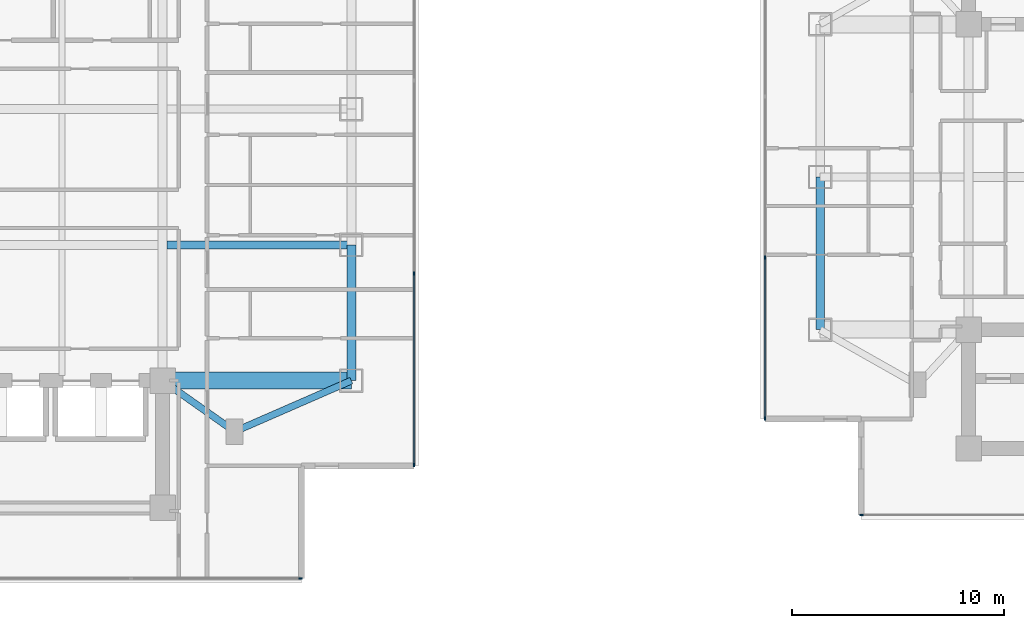
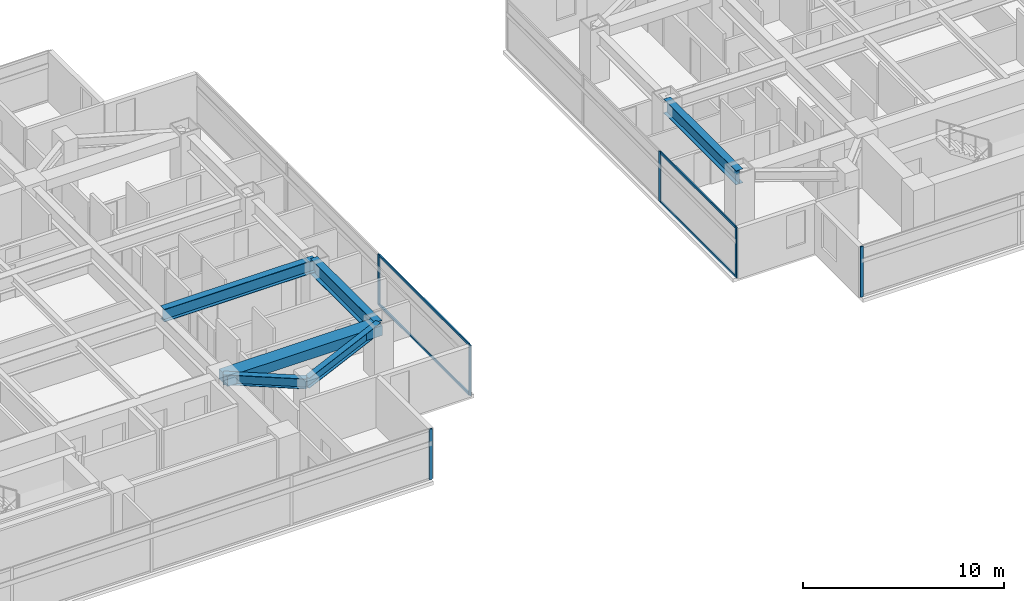
# One storey, part 4 of 24: 10 members, 6 beams, 4 elements without a shape of their own.
"""IFC4 building model written with IfcOpenShell, lengths in metres."""

from ifc_helpers import new_model, si_unit, direction, frame, origin, origin_2d, place, context, subcontext, project, spatial, rectangle, i_section, extrude, material, material_profile, profile_set, type_object, element, aggregate, save


model = new_model("IFC4")

# Units and contexts
model_context = context("Model", 3, precision=1e-05, world=origin(), true_north=direction((0.0, 1.0)))
body_context = subcontext(model_context, "Body", "Model", "MODEL_VIEW")
ifc_project = project(units=[si_unit("LENGTHUNIT", "METRE"), si_unit("AREAUNIT", "SQUARE_METRE"), si_unit("VOLUMEUNIT", "CUBIC_METRE"), si_unit("PLANEANGLEUNIT", "RADIAN"), si_unit("MASSUNIT", "GRAM", prefix="KILO")], contexts=[model_context])

# Site, building, storey
site_placement = place(None, origin())
site = spatial("IfcSite", under=ifc_project, at=site_placement, CompositionType="ELEMENT")
building_placement = place(site_placement, origin())
building = spatial("IfcBuilding", under=site, at=building_placement, Name="Mirazonda Arch Towers", CompositionType="ELEMENT")
storey_placement = place(building_placement, frame((0.0, 0.0, 101.60009765625)))
storey = spatial("IfcBuildingStorey", under=building, at=storey_placement, Name="L28", CompositionType="ELEMENT", Elevation=101.60009765625)

# Beams
ifc_material_1 = material(Name="Steel ASTM A992 Grade 50", Category="steel")
ifc_material_profile_1 = material_profile(ifc_material_1, i_section(OverallWidth=0.39990234375, OverallDepth=0.85595703125, WebThickness=0.018310546875, FlangeThickness=0.029296875, at=origin_2d()), Name="W33X201")
ifc_profile_set_1 = profile_set([ifc_material_profile_1], Name="Steel ASTM A992 Grade 50")
beam_type_1 = type_object("IfcBeamType", Name="BM-EXT-W33X201", PredefinedType="USERDEFINED", material=ifc_profile_set_1)
beam_1_placement = place(storey_placement, frame((61.0, 20.800048828125, 2.65185546875), z_axis=(0.0, 1.0, 0.0), x_axis=(-1.0, 0.0, 0.0)))
element("IfcBeam", 1, at=beam_1_placement, inside=storey, type_object=beam_type_1, Name="L28 Floor Beam BM-T2-L28-NS-W-20", ObjectType="GIRDER", PredefinedType="USERDEFINED", context=body_context, shape_type="SweptSolid", body=[
    extrude(i_section(OverallWidth=0.39990234375, OverallDepth=0.85595703125, WebThickness=0.018310546875, FlangeThickness=0.029296875, at=origin_2d()), origin(), (0.0, 0.0, 1.0), 7.199951171875),
])
ifc_material_profile_2 = material_profile(ifc_material_1, i_section(OverallWidth=0.41796875, OverallDepth=0.927001953125, WebThickness=0.019287109375, FlangeThickness=0.031982421875, at=origin_2d()), Name="W36X231")
ifc_profile_set_2 = profile_set([ifc_material_profile_2], Name="Steel ASTM A992 Grade 50")
beam_type_2 = type_object("IfcBeamType", Name="BM-EXT-W36X231", PredefinedType="USERDEFINED", material=ifc_profile_set_2)
beam_2_placement = place(storey_placement, frame((38.89990234375, 18.39990234375, 2.616455078125), z_axis=(0.0, 1.0, 0.0), x_axis=(-1.0, 0.0, 0.0)))
element("IfcBeam", 2, at=beam_2_placement, inside=storey, type_object=beam_type_2, Name="L28 Floor Beam BM-T1-L28-NS-E-18", ObjectType="GIRDER", PredefinedType="USERDEFINED", context=body_context, shape_type="SweptSolid", body=[
    extrude(i_section(OverallWidth=0.41796875, OverallDepth=0.927001953125, WebThickness=0.019287109375, FlangeThickness=0.031982421875, at=origin_2d()), origin(), (0.0, 0.0, 1.0), 6.400146484375),
])
ifc_material_profile_3 = material_profile(ifc_material_1, i_section(OverallWidth=0.324951171875, OverallDepth=0.615966796875, WebThickness=0.013916015625, FlangeThickness=0.021484375, at=origin_2d()), Name="W24X117")
ifc_profile_set_3 = profile_set([ifc_material_profile_3], Name="Steel ASTM A992 Grade 50")
beam_type_3 = type_object("IfcBeamType", Name="BM-INT-W24X117", PredefinedType="BEAM", material=ifc_profile_set_3)
beam_3_placement = place(storey_placement, frame((33.39990234375, 16.0, 2.77197265625), z_axis=(-0.816971114901, 0.576678591087, 0.0), x_axis=(-0.576678591087, -0.816971114901, 0.0)))
element("IfcBeam", 3, at=beam_3_placement, inside=storey, type_object=beam_type_3, Name="L28 Floor Beam BM-T1-L28-PL-SE1", PredefinedType="BEAM", context=body_context, shape_type="SweptSolid", body=[
    extrude(i_section(OverallWidth=0.324951171875, OverallDepth=0.615966796875, WebThickness=0.013916015625, FlangeThickness=0.021484375, at=origin_2d()), origin(), (0.0, 0.0, 1.0), 4.16162109375),
])
beam_4_placement = place(storey_placement, frame((33.39990234375, 16.0, 2.77197265625), z_axis=(0.916545343703, 0.399930785183, 0.0), x_axis=(-0.399930785183, 0.916545343703, 0.0)))
element("IfcBeam", 4, at=beam_4_placement, inside=storey, type_object=beam_type_3, Name="L28 Floor Beam BM-T1-L28-PL-SE2", PredefinedType="BEAM", context=body_context, shape_type="SweptSolid", body=[
    extrude(i_section(OverallWidth=0.324951171875, OverallDepth=0.615966796875, WebThickness=0.013916015625, FlangeThickness=0.021484375, at=origin_2d()), origin(), (0.0, 0.0, 1.0), 6.000732421875),
])
ifc_material_profile_4 = material_profile(ifc_material_1, i_section(OverallWidth=0.381103515625, OverallDepth=0.77294921875, WebThickness=0.0166015625, FlangeThickness=0.027099609375, at=origin_2d()), Name="W30X173")
ifc_profile_set_4 = profile_set([ifc_material_profile_4], Name="Steel ASTM A992 Grade 50")
beam_type_4 = type_object("IfcBeamType", Name="BM-INT-W30X173", PredefinedType="USERDEFINED", material=ifc_profile_set_4)
beam_5_placement = place(storey_placement, frame((30.21142578125, 24.800048828125, 2.693359375), z_axis=(1.0, 0.0, 0.0), x_axis=(0.0, 1.0, 0.0)))
element("IfcBeam", 5, at=beam_5_placement, inside=storey, type_object=beam_type_4, Name="L28 Floor Beam BM-T1-L28-GE2", ObjectType="GIRDER", PredefinedType="USERDEFINED", context=body_context, shape_type="SweptSolid", body=[
    extrude(i_section(OverallWidth=0.381103515625, OverallDepth=0.77294921875, WebThickness=0.0166015625, FlangeThickness=0.027099609375, at=origin_2d()), origin(), (0.0, 0.0, 1.0), 8.6884765625),
])
ifc_material_2 = material(Name="Concrete C60/75", Category="concrete")
ifc_material_profile_5 = material_profile(ifc_material_2, rectangle(XDim=0.800048828125, YDim=0.60009765625, at=origin_2d()), Name="RCCB800x600")
ifc_profile_set_5 = profile_set([ifc_material_profile_5], Name="Concrete C60/75")
beam_type_5 = type_object("IfcBeamType", Name="CB-INT-RCCB800x600", PredefinedType="SPANDREL", material=ifc_profile_set_5)
beam_6_placement = place(storey_placement, frame((30.0, 18.39990234375, 2.77978515625), z_axis=(1.0, 0.0, 0.0), x_axis=(0.0, 1.0, 0.0)))
element("IfcBeam", 6, at=beam_6_placement, inside=storey, type_object=beam_type_5, Name="L28 Floor Beam CBC-T1-L28-SE", PredefinedType="SPANDREL", context=body_context, shape_type="SweptSolid", body=[
    extrude(rectangle(XDim=0.800048828125, YDim=0.60009765625, at=origin_2d()), origin(), (0.0, 0.0, 1.0), 8.89990234375),
])

# Curtain wall, member
ifc_material_3 = material(Name="Anodised Aluminium and Low-E Glass", Category="aluminium")
curtain_wall_type = type_object("IfcCurtainWallType", Name="CW-HTL-UNIT", PredefinedType="NOTDEFINED", material=ifc_material_3)
curtain_wall_1_placement = place(storey_placement, origin())
curtain_wall_1 = element("IfcCurtainWall", 7, at=curtain_wall_1_placement, inside=storey, type_object=curtain_wall_type, Name="L28 T1 S Facade CW-L28-T1-S", PredefinedType="NOTDEFINED")
ifc_material_4 = material(Name="Anodised Aluminium Alloy", Category="aluminium")
ifc_material_profile_6 = material_profile(ifc_material_4, rectangle(XDim=0.074951171875, YDim=0.1650390625, at=origin_2d()), Name="ALU-MULL-75x165")
ifc_profile_set_6 = profile_set([ifc_material_profile_6], Name="Anodised Aluminium Alloy")
member_type_1 = type_object("IfcMemberType", Name="MULL-CW-HTL-UNIT", PredefinedType="MULLION", material=ifc_profile_set_6)
member_1_placement = place(storey_placement, frame((36.507568359375, 9.077880859375, 0.0), z_axis=(0.0, 0.0, 1.0), x_axis=(0.0, -1.0, 0.0)))
member_1 = element("IfcMember", 8, at=member_1_placement, type_object=member_type_1, Name="CW-112 mullion 1", PredefinedType="MULLION", context=body_context, shape_type="SweptSolid", body=[
    extrude(rectangle(XDim=0.074951171875, YDim=0.1650390625, at=origin_2d()), origin(), (0.0, 0.0, 1.0), 3.059814453125),
])
aggregate(curtain_wall_1, [member_1])

# Curtain wall, members
curtain_wall_2_placement = place(storey_placement, origin())
curtain_wall_2 = element("IfcCurtainWall", 9, at=curtain_wall_2_placement, inside=storey, type_object=curtain_wall_type, Name="L28 T1 E Facade CW-L28-T1-E", PredefinedType="NOTDEFINED")
member_2_placement = place(storey_placement, frame((41.85009765625, 14.42041015625, 0.0), z_axis=(0.0, 0.0, 1.0), x_axis=(-1.0, 0.0, 0.0)))
member_2 = element("IfcMember", 10, at=member_2_placement, type_object=member_type_1, Name="CW-112 mullion 1", PredefinedType="MULLION", context=body_context, shape_type="SweptSolid", body=[
    extrude(rectangle(XDim=0.074951171875, YDim=0.1650390625, at=origin_2d()), origin(), (0.0, 0.0, 1.0), 3.059814453125),
])
member_3_placement = place(storey_placement, frame((41.85009765625, 23.4609375, 0.0), z_axis=(0.0, 0.0, 1.0), x_axis=(-1.0, 0.0, 0.0)))
member_3 = element("IfcMember", 11, at=member_3_placement, type_object=member_type_1, Name="CW-112 mullion 2", PredefinedType="MULLION", context=body_context, shape_type="SweptSolid", body=[
    extrude(rectangle(XDim=0.074951171875, YDim=0.1650390625, at=origin_2d()), origin(), (0.0, 0.0, 1.0), 3.059814453125),
])

# Curtain wall, member
curtain_wall_3_placement = place(storey_placement, origin())
curtain_wall_3 = element("IfcCurtainWall", 12, at=curtain_wall_3_placement, inside=storey, type_object=curtain_wall_type, Name="L28 T2 S Facade CW-L28-T2-S", PredefinedType="NOTDEFINED")
member_4_placement = place(storey_placement, frame((62.959228515625, 12.0693359375, 0.0), z_axis=(0.0, 0.0, 1.0), x_axis=(0.0, -1.0, 0.0)))
member_4 = element("IfcMember", 13, at=member_4_placement, type_object=member_type_1, Name="CW-112 mullion 4", PredefinedType="MULLION", context=body_context, shape_type="SweptSolid", body=[
    extrude(rectangle(XDim=0.074951171875, YDim=0.1650390625, at=origin_2d()), origin(), (0.0, 0.0, 1.0), 3.059814453125),
])
aggregate(curtain_wall_3, [member_4])

# Curtain wall, members
curtain_wall_4_placement = place(storey_placement, origin())
curtain_wall_4 = element("IfcCurtainWall", 14, at=curtain_wall_4_placement, inside=storey, type_object=curtain_wall_type, Name="L28 T2 W Facade CW-L28-T2-W", PredefinedType="NOTDEFINED")
member_5_placement = place(storey_placement, frame((58.405517578125, 24.1953125, 0.0), z_axis=(0.0, 0.0, 1.0), x_axis=(1.0, 0.0, 0.0)))
member_5 = element("IfcMember", 15, at=member_5_placement, type_object=member_type_1, Name="CW-112 mullion 3", PredefinedType="MULLION", context=body_context, shape_type="SweptSolid", body=[
    extrude(rectangle(XDim=0.074951171875, YDim=0.1650390625, at=origin_2d()), origin(), (0.0, 0.0, 1.0), 3.059814453125),
])
member_6_placement = place(storey_placement, frame((58.405517578125, 16.623046875, 0.0), z_axis=(0.0, 0.0, 1.0), x_axis=(1.0, 0.0, 0.0)))
member_6 = element("IfcMember", 16, at=member_6_placement, type_object=member_type_1, Name="CW-112 mullion 4", PredefinedType="MULLION", context=body_context, shape_type="SweptSolid", body=[
    extrude(rectangle(XDim=0.074951171875, YDim=0.1650390625, at=origin_2d()), origin(), (0.0, 0.0, 1.0), 3.059814453125),
])

# Member
ifc_material_profile_7 = material_profile(ifc_material_4, rectangle(XDim=0.074951171875, YDim=0.14501953125, at=origin_2d()), Name="ALU-TRAN-75x145")
ifc_profile_set_7 = profile_set([ifc_material_profile_7], Name="Anodised Aluminium Alloy")
member_type_2 = type_object("IfcMemberType", Name="TRAN-CW-HTL-UNIT", PredefinedType="USERDEFINED", material=ifc_profile_set_7)
member_7_placement = place(storey_placement, frame((41.85009765625, 14.4580078125, 0.037353515625), z_axis=(0.0, 1.0, 0.0), x_axis=(-1.0, 0.0, 0.0)))
member_7 = element("IfcMember", 17, at=member_7_placement, type_object=member_type_2, Name="CW-112 transom 1.1", ObjectType="TRANSOM", PredefinedType="USERDEFINED", context=body_context, shape_type="SweptSolid", body=[
    extrude(rectangle(XDim=0.074951171875, YDim=0.14501953125, at=origin_2d()), origin(), (0.0, 0.0, 1.0), 8.965576171875),
])

member_8_placement = place(storey_placement, frame((41.85009765625, 14.4580078125, 3.0224609375), z_axis=(0.0, 1.0, 0.0), x_axis=(-1.0, 0.0, 0.0)))
member_8 = element("IfcMember", 18, at=member_8_placement, type_object=member_type_2, Name="CW-112 transom 1.2", ObjectType="TRANSOM", PredefinedType="USERDEFINED", context=body_context, shape_type="SweptSolid", body=[
    extrude(rectangle(XDim=0.074951171875, YDim=0.14501953125, at=origin_2d()), origin(), (0.0, 0.0, 1.0), 8.965576171875),
])

aggregate(curtain_wall_2, [member_2, member_3, member_7, member_8])

member_9_placement = place(storey_placement, frame((58.405517578125, 24.15771484375, 0.037353515625), z_axis=(0.0, -1.0, 0.0), x_axis=(1.0, 0.0, 0.0)))
member_9 = element("IfcMember", 19, at=member_9_placement, type_object=member_type_2, Name="CW-112 transom 3.1", ObjectType="TRANSOM", PredefinedType="USERDEFINED", context=body_context, shape_type="SweptSolid", body=[
    extrude(rectangle(XDim=0.074951171875, YDim=0.14501953125, at=origin_2d()), origin(), (0.0, 0.0, 1.0), 7.4970703125),
])

member_10_placement = place(storey_placement, frame((58.405517578125, 24.15771484375, 3.0224609375), z_axis=(0.0, -1.0, 0.0), x_axis=(1.0, 0.0, 0.0)))
member_10 = element("IfcMember", 20, at=member_10_placement, type_object=member_type_2, Name="CW-112 transom 3.2", ObjectType="TRANSOM", PredefinedType="USERDEFINED", context=body_context, shape_type="SweptSolid", body=[
    extrude(rectangle(XDim=0.074951171875, YDim=0.14501953125, at=origin_2d()), origin(), (0.0, 0.0, 1.0), 7.4970703125),
])

aggregate(curtain_wall_4, [member_5, member_6, member_9, member_10])

save(model, "model.ifc")
